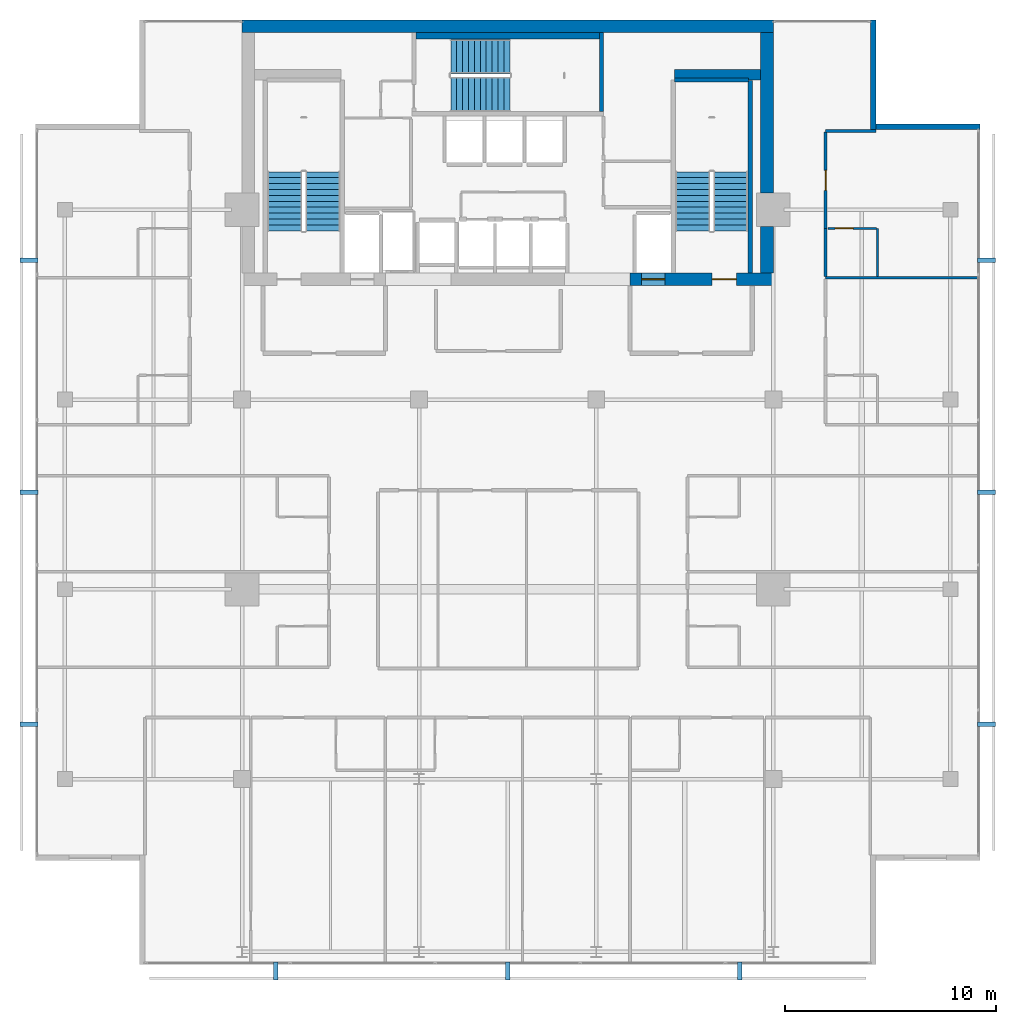
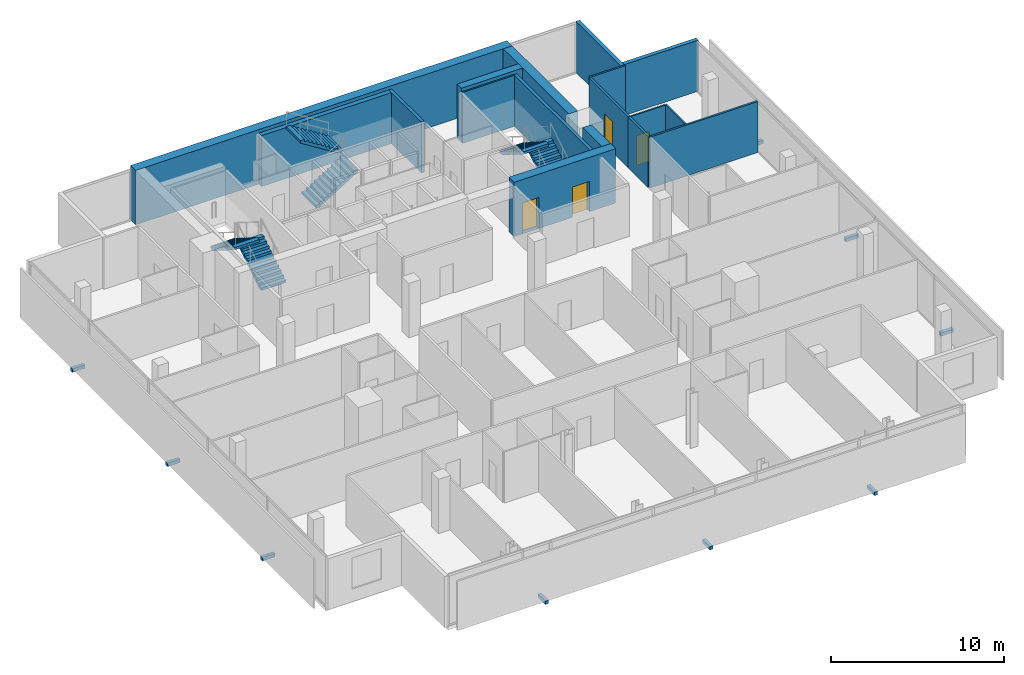
# One storey, part 23 of 25: 17 walls, 9 discrete accessories, 6 stair flights, 4 doors, 4 openings, 3 elements without a shape of their own.
"""IFC4 building model written with IfcOpenShell, lengths in metres."""

from ifc_helpers import new_model, si_unit, direction, frame, frame_2d, origin, origin_2d, place, context, subcontext, project, spatial, polyline, rectangle, outline, extrude, material, layer, layer_set, type_object, element, fill, aggregate, save


model = new_model("IFC4")

# Units and contexts
model_context = context("Model", 3, precision=1e-05, world=origin(), true_north=direction((0.0, 1.0)))
body_context = subcontext(model_context, "Body", "Model", "MODEL_VIEW")
ifc_project = project(units=[si_unit("LENGTHUNIT", "METRE"), si_unit("AREAUNIT", "SQUARE_METRE"), si_unit("VOLUMEUNIT", "CUBIC_METRE"), si_unit("PLANEANGLEUNIT", "RADIAN"), si_unit("MASSUNIT", "GRAM", prefix="KILO")], contexts=[model_context])

# Site, building, storey
site_placement = place(None, origin())
site = spatial("IfcSite", under=ifc_project, at=site_placement, CompositionType="ELEMENT")
building_placement = place(site_placement, origin())
building = spatial("IfcBuilding", under=site, at=building_placement, Name="Maruvema Waterfront Hotel and Observation Tower", CompositionType="ELEMENT")
storey_placement = place(building_placement, frame((0.0, 0.0, 304.85009765625)))
storey = spatial("IfcBuildingStorey", under=building, at=storey_placement, Name="L75", CompositionType="ELEMENT", Elevation=304.85009765625)

# Wall
ifc_material_1 = material(Name="Twin-stud acoustic gypsum drywall", Category="gypsum")
ifc_layer_1 = layer(ifc_material_1, 0.14990234375, Name="Acoustic Corridor and Suite Demising Wall 150 mm")
ifc_layer_set_1 = layer_set([ifc_layer_1], Name="Twin-stud acoustic gypsum drywall")
wall_type_1 = type_object("IfcWallType", Name="Acoustic Corridor and Suite Demising Wall 150 mm", PredefinedType="PARTITIONING", material=ifc_layer_set_1)
wall_1_placement = place(storey_placement, frame((52.8798828125, 41.82861328125, 0.0), z_axis=(0.0, 0.0, 1.0), x_axis=(0.0, 1.0, 0.0)))
element("IfcWall", 1, at=wall_1_placement, inside=storey, type_object=wall_type_1, Name="L75 Bath L75-NE2 Wall 095", PredefinedType="PARTITIONING", context=body_context, shape_type="SweptSolid", body=[
    extrude(rectangle(XDim=2.2900390625, YDim=0.14990234375, at=frame_2d((1.14501953125, 0.0))), origin(), (0.0, 0.0, 1.0), 3.60986328125),
])

# Wall, opening, door
wall_2_placement = place(storey_placement, frame((52.8798828125, 44.11865234375, 0.0), z_axis=(0.0, 0.0, 1.0), x_axis=(0.0, 1.0, 0.0)))
wall_2 = element("IfcWall", 2, at=wall_2_placement, inside=storey, type_object=wall_type_1, Name="L75 Room L75-NE2 Corridor Wall 096", PredefinedType="PARTITIONING", context=body_context, shape_type="SweptSolid", body=[
    extrude(rectangle(XDim=4.558837890625, YDim=0.14990234375, at=frame_2d((2.279296875, 0.0))), origin(), (0.0, 0.0, 1.0), 3.60986328125),
])
opening_1_placement = place(wall_2_placement, frame((1.804443359375, 0.0, 0.0)))
opening_1 = element("IfcOpeningElement", 3, at=opening_1_placement, cuts=wall_2, Name="Opening DR-095", PredefinedType="OPENING", context=body_context, shape_type="SweptSolid", body=[
    extrude(rectangle(XDim=0.949951171875, YDim=2.14990234375, at=frame_2d((0.47509765625, 1.074951171875))), frame((0.0, 0.0849609375, 0.0), z_axis=(0.0, -1.0, 0.0), x_axis=(1.0, 0.0, 0.0)), (0.0, 0.0, 1.0), 0.169921875),
])
ifc_material_2 = material(Name="Acoustic solid-core hardwood timber leaf", Category="wood")
door_type_1 = type_object("IfcDoorType", Name="Guestroom Entrance Fire Door 950x2150 mm", OperationType="NOTDEFINED", PredefinedType="DOOR", material=ifc_material_2)
door_1_placement = place(opening_1_placement, frame((0.949951171875, 0.0, 0.0), z_axis=(0.0, 0.0, 1.0), x_axis=(-1.0, 0.0, 0.0)))
door_1 = element("IfcDoor", 4, at=door_1_placement, inside=storey, type_object=door_type_1, Name="L75 Room L75-NE2 Entrance Door", OperationType="SINGLE_SWING_LEFT", OverallHeight=2.14990234375, OverallWidth=0.949951171875, PredefinedType="DOOR", context=body_context, shape_type="SweptSolid", body=[
    extrude(rectangle(XDim=0.949951171875, YDim=2.14990234375, at=frame_2d((0.47509765625, 1.074951171875))), frame((0.0, 0.02490234375, 0.0), z_axis=(0.0, -1.0, 0.0), x_axis=(1.0, 0.0, 0.0)), (0.0, 0.0, 1.0), 0.050048828125),
])
fill(opening_1, door_1)

# Walls
ifc_material_3 = material(Name="Precast concrete C45/55", Category="concrete")
ifc_layer_2 = layer(ifc_material_3, 0.300048828125, Name="Core Shaft Furring Wall 300 mm")
ifc_layer_set_2 = layer_set([ifc_layer_2], Name="Precast concrete C45/55")
wall_type_2 = type_object("IfcWallType", Name="Core Shaft Furring Wall 300 mm", PredefinedType="SOLIDWALL", material=ifc_layer_set_2)
wall_3_placement = place(storey_placement, frame((33.449951171875, 53.25, 0.0), z_axis=(0.0, 0.0, 1.0), x_axis=(1.0, 0.0, 0.0)))
element("IfcWall", 5, at=wall_3_placement, inside=storey, type_object=wall_type_2, Name="L75 Stairwell ST-02 North Furring Wall", PredefinedType="SOLIDWALL", context=body_context, shape_type="SweptSolid", body=[
    extrude(rectangle(XDim=8.699951171875, YDim=0.300048828125, at=frame_2d((4.35009765625, 0.0))), origin(), (0.0, 0.0, 1.0), 3.60986328125),
])
ifc_material_4 = material(Name="Precast concrete C45/55", Category="concrete")
ifc_layer_3 = layer(ifc_material_4, 0.199951171875, Name="Core Shaft and Stairwell Enclosure Wall 200 mm")
ifc_layer_set_3 = layer_set([ifc_layer_3], Name="Precast concrete C45/55")
wall_type_3 = type_object("IfcWallType", Name="Core Shaft and Stairwell Enclosure Wall 200 mm", PredefinedType="SOLIDWALL", material=ifc_layer_set_3)
wall_4_placement = place(storey_placement, frame((42.25, 49.64990234375, 0.0), z_axis=(0.0, 0.0, 1.0), x_axis=(0.0, 1.0, 0.0)))
element("IfcWall", 6, at=wall_4_placement, inside=storey, type_object=wall_type_3, Name="L75 Stairwell ST-02 Shaft Wall", PredefinedType="SOLIDWALL", context=body_context, shape_type="SweptSolid", body=[
    extrude(rectangle(XDim=3.75, YDim=0.199951171875, at=frame_2d((1.875, 0.0))), origin(), (0.0, 0.0, 1.0), 3.60986328125),
])
wall_5_placement = place(storey_placement, frame((49.300048828125, 42.0, 0.0), z_axis=(0.0, 0.0, 1.0), x_axis=(0.0, 1.0, 0.0)))
element("IfcWall", 7, at=wall_5_placement, inside=storey, type_object=wall_type_3, Name="L75 Stairwell ST-03 Shaft Lining Wall", PredefinedType="SOLIDWALL", context=body_context, shape_type="SweptSolid", body=[
    extrude(rectangle(XDim=9.1201171875, YDim=0.199951171875, at=frame_2d((4.56005859375, 0.0))), origin(), (0.0, 0.0, 1.0), 3.60986328125),
])
wall_6_placement = place(storey_placement, frame((45.719970703125, 51.14990234375, 0.0), z_axis=(0.0, 0.0, 1.0), x_axis=(1.0, 0.0, 0.0)))
element("IfcWall", 8, at=wall_6_placement, inside=storey, type_object=wall_type_3, Name="L75 Stairwell ST-03 Shaft Lining Wall", PredefinedType="SOLIDWALL", context=body_context, shape_type="SweptSolid", body=[
    extrude(rectangle(XDim=3.5, YDim=0.199951171875, at=frame_2d((1.75, 0.0))), origin(), (0.0, 0.0, 1.0), 3.60986328125),
])
ifc_material_5 = material(Name="Concrete C70/85", Category="concrete")
ifc_layer_4 = layer(ifc_material_5, 0.5, Name="Core Shear Wall 500 mm")
ifc_layer_set_4 = layer_set([ifc_layer_4], Name="Concrete C70/85")
wall_type_4 = type_object("IfcWallType", Name="Core Shear Wall 500 mm", PredefinedType="SHEAR", material=ifc_layer_set_4)
wall_7_placement = place(storey_placement, frame((45.699951171875, 51.39990234375, 0.0), z_axis=(0.0, 0.0, 1.0), x_axis=(1.0, 0.0, 0.0)))
element("IfcWall", 9, at=wall_7_placement, inside=storey, type_object=wall_type_4, Name="L75 Internal Core Shear Wall NE 500 mm", PredefinedType="SHEAR", context=body_context, shape_type="SweptSolid", body=[
    extrude(rectangle(XDim=4.10009765625, YDim=0.5, at=frame_2d((2.050048828125, 0.0))), origin(), (0.0, 0.0, 1.0), 3.849853515625),
])
ifc_material_6 = material(Name="Concrete C60/75", Category="concrete")
ifc_layer_5 = layer(ifc_material_6, 0.60009765625, Name="Core Shear Wall 600 mm")
ifc_layer_set_5 = layer_set([ifc_layer_5], Name="Concrete C60/75")
wall_type_5 = type_object("IfcWallType", Name="Core Shear Wall 600 mm", PredefinedType="SHEAR", material=ifc_layer_set_5)
wall_8_placement = place(storey_placement, frame((25.199951171875, 53.699951171875, 0.0), z_axis=(0.0, 0.0, 1.0), x_axis=(1.0, 0.0, 0.0)))
element("IfcWall", 10, at=wall_8_placement, inside=storey, type_object=wall_type_5, Name="L75 North Core Shear Wall", PredefinedType="SHEAR", context=body_context, shape_type="SweptSolid", body=[
    extrude(rectangle(XDim=25.199951171875, YDim=0.60009765625, at=frame_2d((12.60009765625, 0.0))), origin(), (0.0, 0.0, 1.0), 3.849853515625),
])

# Wall, openings, doors
wall_9_placement = place(storey_placement, frame((43.60009765625, 41.699951171875, 0.0), z_axis=(0.0, 0.0, 1.0), x_axis=(1.0, 0.0, 0.0)))
wall_9 = element("IfcWall", 11, at=wall_9_placement, inside=storey, type_object=wall_type_5, Name="L75 South-East Core Shear Wall", PredefinedType="SHEAR", context=body_context, shape_type="SweptSolid", body=[
    extrude(rectangle(XDim=6.7998046875, YDim=0.60009765625, at=frame_2d((3.39990234375, 0.0))), origin(), (0.0, 0.0, 1.0), 3.849853515625),
])
opening_2_placement = place(wall_9_placement, frame((3.89990234375, 0.0, 0.0)))
opening_2 = element("IfcOpeningElement", 12, at=opening_2_placement, cuts=wall_9, Name="Opening SD-01", PredefinedType="OPENING", context=body_context, shape_type="SweptSolid", body=[
    extrude(rectangle(XDim=1.14990234375, YDim=2.14990234375, at=frame_2d((0.574951171875, 1.074951171875))), frame((0.0, 0.31005859375, 0.0), z_axis=(0.0, -1.0, 0.0), x_axis=(1.0, 0.0, 0.0)), (0.0, 0.0, 1.0), 0.6201171875),
])
opening_3_placement = place(wall_9_placement, frame((0.550048828125, 0.0, 0.0)))
opening_3 = element("IfcOpeningElement", 13, at=opening_3_placement, cuts=wall_9, Name="Opening LD-03", PredefinedType="OPENING", context=body_context, shape_type="SweptSolid", body=[
    extrude(rectangle(XDim=1.10009765625, YDim=2.199951171875, at=frame_2d((0.550048828125, 1.10009765625))), frame((0.0, 0.31005859375, 0.0), z_axis=(0.0, -1.0, 0.0), x_axis=(1.0, 0.0, 0.0)), (0.0, 0.0, 1.0), 0.6201171875),
])
ifc_material_7 = material(Name="Fire-rated galvanised steel leaf", Category="steel")
door_type_2 = type_object("IfcDoorType", Name="Exit Stair Fire Door 1150x2150 mm", OperationType="NOTDEFINED", PredefinedType="DOOR", material=ifc_material_7)
door_2_placement = place(opening_2_placement, origin())
door_2 = element("IfcDoor", 14, at=door_2_placement, inside=storey, type_object=door_type_2, Name="L75 Exit Stair ST-03 Fire Door", OperationType="SINGLE_SWING_RIGHT", OverallHeight=2.14990234375, OverallWidth=1.14990234375, PredefinedType="DOOR", context=body_context, shape_type="SweptSolid", body=[
    extrude(rectangle(XDim=1.14990234375, YDim=2.14990234375, at=frame_2d((0.574951171875, 1.074951171875))), frame((0.0, 0.02490234375, 0.0), z_axis=(0.0, -1.0, 0.0), x_axis=(1.0, 0.0, 0.0)), (0.0, 0.0, 1.0), 0.050048828125),
])
fill(opening_2, door_2)
ifc_material_8 = material(Name="Brushed stainless steel Grade 316", Category="steel")
door_type_3 = type_object("IfcDoorType", Name="Firefighting Lift Sliding Landing Door 1100x2200 mm", OperationType="SLIDING_TO_LEFT", PredefinedType="DOOR", material=ifc_material_8)
door_3_placement = place(opening_3_placement, frame((1.10009765625, 0.0, 0.0), z_axis=(0.0, 0.0, 1.0), x_axis=(-1.0, 0.0, 0.0)))
door_3 = element("IfcDoor", 15, at=door_3_placement, inside=storey, type_object=door_type_3, Name="L75 Firefighting Lift FL-02 Landing Door", OperationType="SLIDING_TO_LEFT", OverallHeight=2.199951171875, OverallWidth=1.10009765625, PredefinedType="DOOR", context=body_context, shape_type="SweptSolid", body=[
    extrude(rectangle(XDim=1.10009765625, YDim=2.199951171875, at=frame_2d((0.550048828125, 1.10009765625))), frame((0.0, 0.02490234375, 0.0), z_axis=(0.0, -1.0, 0.0), x_axis=(1.0, 0.0, 0.0)), (0.0, 0.0, 1.0), 0.050048828125),
])
fill(opening_3, door_3)

# Walls
wall_10_placement = place(storey_placement, frame((50.10009765625, 42.0, 0.0), z_axis=(0.0, 0.0, 1.0), x_axis=(0.0, 1.0, 0.0)))
element("IfcWall", 16, at=wall_10_placement, inside=storey, type_object=wall_type_5, Name="L75 East-South Core Shear Wall", PredefinedType="SHEAR", context=body_context, shape_type="SweptSolid", body=[
    extrude(rectangle(XDim=2.199951171875, YDim=0.60009765625, at=frame_2d((1.10009765625, 0.0))), origin(), (0.0, 0.0, 1.0), 3.849853515625),
])
wall_11_placement = place(storey_placement, frame((50.10009765625, 45.800048828125, 0.0), z_axis=(0.0, 0.0, 1.0), x_axis=(0.0, 1.0, 0.0)))
element("IfcWall", 17, at=wall_11_placement, inside=storey, type_object=wall_type_5, Name="L75 East-North Core Shear Wall", PredefinedType="SHEAR", context=body_context, shape_type="SweptSolid", body=[
    extrude(rectangle(XDim=7.599853515625, YDim=0.60009765625, at=frame_2d((3.7998046875, 0.0))), origin(), (0.0, 0.0, 1.0), 3.849853515625),
])
ifc_material_9 = material(Name="Moisture-resistant cement-board drywall", Category="gypsum")
ifc_layer_6 = layer(ifc_material_9, 0.10009765625, Name="En-Suite Moisture-Resistant Partition 100 mm")
ifc_layer_set_6 = layer_set([ifc_layer_6], Name="Moisture-resistant cement-board drywall")
wall_type_6 = type_object("IfcWallType", Name="En-Suite Moisture-Resistant Partition 100 mm", PredefinedType="PARTITIONING", material=ifc_layer_set_6)
wall_12_placement = place(storey_placement, frame((55.330078125, 41.82861328125, 0.0), z_axis=(0.0, 0.0, 1.0), x_axis=(0.0, 1.0, 0.0)))
element("IfcWall", 18, at=wall_12_placement, inside=storey, type_object=wall_type_6, Name="L75 En-Suite L75-NE2 E 097", PredefinedType="PARTITIONING", context=body_context, shape_type="SweptSolid", body=[
    extrude(rectangle(XDim=2.2900390625, YDim=0.10009765625, at=frame_2d((1.14501953125, 0.0))), origin(), (0.0, 0.0, 1.0), 3.60986328125),
])

# Wall, opening, door
wall_13_placement = place(storey_placement, frame((52.97998046875, 44.11865234375, 0.0), z_axis=(0.0, 0.0, 1.0), x_axis=(1.0, 0.0, 0.0)))
wall_13 = element("IfcWall", 19, at=wall_13_placement, inside=storey, type_object=wall_type_6, Name="L75 En-Suite L75-NE2 N 098", PredefinedType="PARTITIONING", context=body_context, shape_type="SweptSolid", body=[
    extrude(rectangle(XDim=2.300048828125, YDim=0.10009765625, at=frame_2d((1.14990234375, 0.0))), origin(), (0.0, 0.0, 1.0), 3.60986328125),
])
opening_4_placement = place(wall_13_placement, frame((0.35009765625, 0.0, 0.0)))
opening_4 = element("IfcOpeningElement", 20, at=opening_4_placement, cuts=wall_13, Name="Opening DR-085", PredefinedType="OPENING", context=body_context, shape_type="SweptSolid", body=[
    extrude(rectangle(XDim=0.85009765625, YDim=2.10009765625, at=frame_2d((0.425048828125, 1.050048828125))), frame((0.0, 0.06005859375, 0.0), z_axis=(0.0, -1.0, 0.0), x_axis=(1.0, 0.0, 0.0)), (0.0, 0.0, 1.0), 0.1201171875),
])
ifc_material_10 = material(Name="Moisture-resistant solid timber leaf", Category="wood")
door_type_4 = type_object("IfcDoorType", Name="En-Suite Bathroom Door 850x2100 mm", OperationType="NOTDEFINED", PredefinedType="DOOR", material=ifc_material_10)
door_4_placement = place(opening_4_placement, origin())
door_4 = element("IfcDoor", 21, at=door_4_placement, inside=storey, type_object=door_type_4, Name="L75 En-Suite L75-NE2 Door", OperationType="SINGLE_SWING_RIGHT", OverallHeight=2.10009765625, OverallWidth=0.85009765625, PredefinedType="DOOR", context=body_context, shape_type="SweptSolid", body=[
    extrude(rectangle(XDim=0.85009765625, YDim=2.10009765625, at=frame_2d((0.425048828125, 1.050048828125))), frame((0.0, 0.02490234375, 0.0), z_axis=(0.0, -1.0, 0.0), x_axis=(1.0, 0.0, 0.0)), (0.0, 0.0, 1.0), 0.050048828125),
])
fill(opening_4, door_4)

# Walls
ifc_material_11 = material(Name="Precast concrete C45/55 with honed Pernambuco granite facing", Category="masonry")
ifc_layer_7 = layer(ifc_material_11, 0.260009765625, Name="Exterior Granite Clad Spandrel and Pier Wall 260 mm")
ifc_layer_set_7 = layer_set([ifc_layer_7], Name="Precast concrete C45/55 with honed Pernambuco granite facing")
wall_type_7 = type_object("IfcWallType", Name="Exterior Granite Clad Spandrel and Pier Wall 260 mm", PredefinedType="SOLIDWALL", material=ifc_layer_set_7)
for number, where, z_axis, x_axis, name in (
    (22, (55.1298828125, 54.0, 0.0), (0.0, 0.0, 1.0), (0.0, -1.0, 0.0), "L75 Corner Notch Granite Pier Wall NE1"),
    (23, (55.0, 48.929931640625, 0.0), (0.0, 0.0, 1.0), (1.0, 0.0, 0.0), "L75 Corner Notch Granite Pier Wall NE2"),
):
    element("IfcWall", number, at=place(storey_placement, frame(where, z_axis=z_axis, x_axis=x_axis)), inside=storey, type_object=wall_type_7, Name=name, PredefinedType="SOLIDWALL", context=body_context, shape_type="SweptSolid", body=[
        extrude(rectangle(XDim=5.199951171875, YDim=0.260009765625, at=frame_2d((2.60009765625, 0.0))), origin(), (0.0, 0.0, 1.0), 3.60986328125),
    ])
ifc_material_12 = material(Name="Acoustic gypsum plasterboard drywall", Category="gypsum")
ifc_layer_8 = layer(ifc_material_12, 0.125, Name="Guestroom Acoustic Demising Wall 125 mm")
ifc_layer_set_8 = layer_set([ifc_layer_8], Name="Acoustic gypsum plasterboard drywall")
wall_type_8 = type_object("IfcWallType", Name="Guestroom Acoustic Demising Wall 125 mm", PredefinedType="PARTITIONING", material=ifc_layer_set_8)
wall_14_placement = place(storey_placement, frame((52.8798828125, 48.737548828125, 0.0), z_axis=(0.0, 0.0, 1.0), x_axis=(1.0, 0.0, 0.0)))
element("IfcWall", 24, at=wall_14_placement, inside=storey, type_object=wall_type_8, Name="L75 Z3 NE Top End 080", PredefinedType="PARTITIONING", context=body_context, shape_type="SweptSolid", body=[
    extrude(rectangle(XDim=2.380126953125, YDim=0.125, at=frame_2d((1.18994140625, 0.0))), origin(), (0.0, 0.0, 1.0), 3.60986328125),
])
wall_15_placement = place(storey_placement, frame((52.8798828125, 41.768798828125, 0.0), z_axis=(0.0, 0.0, 1.0), x_axis=(1.0, 0.0, 0.0)))
element("IfcWall", 25, at=wall_15_placement, inside=storey, type_object=wall_type_8, Name="L75 Z3 NE Demising 2 090", PredefinedType="PARTITIONING", context=body_context, shape_type="SweptSolid", body=[
    extrude(rectangle(XDim=7.22021484375, YDim=0.125, at=frame_2d((3.610107421875, 0.0))), origin(), (0.0, 0.0, 1.0), 3.60986328125),
])

# Stair, stair flights
ifc_material_13 = material(Name="Concrete C50/60", Category="concrete")
stair_type = type_object("IfcStairType", Name="Dogleg Exit Stair 1650 mm (22R x 175.0 mm)", PredefinedType="HALF_TURN_STAIR", material=ifc_material_13)
stair_1_placement = place(storey_placement, origin())
stair_1 = element("IfcStair", 26, at=stair_1_placement, inside=storey, type_object=stair_type, Name="L75 ST-01", PredefinedType="HALF_TURN_STAIR")
ifc_material_14 = material(Name="Concrete C50/60", Category="concrete")
stair_flight_type = type_object("IfcStairFlightType", Name="Reinforced Concrete Stair Flight 1650 mm (11R x 175.0 mm)", PredefinedType="STRAIGHT", material=ifc_material_14)
stair_flight_1_placement = place(storey_placement, frame((29.02490234375, 44.0, 0.0), z_axis=(0.0, 0.0, 1.0), x_axis=(0.0, 1.0, 0.0)))
stair_flight_1 = element("IfcStairFlight", 27, at=stair_flight_1_placement, type_object=stair_flight_type, Name="ST-01 flight 1", NumberOfRisers=11, NumberOfTreads=10, PredefinedType="STRAIGHT", RiserHeight=0.175, TreadLength=0.28, context=body_context, shape_type="SweptSolid", body=[
    extrude(outline(polyline([(0.0, 0.0), (0.0, 0.175048828125), (0.280029296875, 0.175048828125), (0.280029296875, 0.35009765625), (0.56005859375, 0.35009765625), (0.56005859375, 0.52490234375), (0.840087890625, 0.52490234375), (0.840087890625, 0.699951171875), (1.1201171875, 0.699951171875), (1.1201171875, 0.875), (1.39990234375, 0.875), (1.39990234375, 1.050048828125), (1.679931640625, 1.050048828125), (1.679931640625, 1.22509765625), (1.9599609375, 1.22509765625), (1.9599609375, 1.39990234375), (2.239990234375, 1.39990234375), (2.239990234375, 1.574951171875), (2.52001953125, 1.574951171875), (2.52001953125, 1.75), (2.800048828125, 1.75), (2.800048828125, 1.925048828125), (2.800048828125, 1.5732421875), (0.28271484375, 0.0), (0.0, 0.0)])), frame((0.0, 0.824951171875, 0.0), z_axis=(0.0, -1.0, 0.0), x_axis=(1.0, 0.0, 0.0)), (0.0, 0.0, 1.0), 1.64990234375),
])
stair_flight_2_placement = place(storey_placement, frame((27.22509765625, 46.800048828125, 1.9248046875), z_axis=(0.0, 0.0, 1.0), x_axis=(0.0, -1.0, 0.0)))
stair_flight_2 = element("IfcStairFlight", 28, at=stair_flight_2_placement, type_object=stair_flight_type, Name="ST-01 flight 2", NumberOfRisers=11, NumberOfTreads=10, PredefinedType="STRAIGHT", RiserHeight=0.175, TreadLength=0.28, context=body_context, shape_type="SweptSolid", body=[
    extrude(outline(polyline([(0.0, 0.0), (0.0, 0.175048828125), (0.280029296875, 0.175048828125), (0.280029296875, 0.35009765625), (0.56005859375, 0.35009765625), (0.56005859375, 0.52490234375), (0.840087890625, 0.52490234375), (0.840087890625, 0.699951171875), (1.1201171875, 0.699951171875), (1.1201171875, 0.875), (1.39990234375, 0.875), (1.39990234375, 1.050048828125), (1.679931640625, 1.050048828125), (1.679931640625, 1.22509765625), (1.9599609375, 1.22509765625), (1.9599609375, 1.39990234375), (2.239990234375, 1.39990234375), (2.239990234375, 1.574951171875), (2.52001953125, 1.574951171875), (2.52001953125, 1.75), (2.800048828125, 1.75), (2.800048828125, 1.925048828125), (2.800048828125, 1.5732421875), (0.28271484375, 0.0), (0.0, 0.0)])), frame((0.0, 0.824951171875, 0.0), z_axis=(0.0, -1.0, 0.0), x_axis=(1.0, 0.0, 0.0)), (0.0, 0.0, 1.0), 1.64990234375),
])
aggregate(stair_1, [stair_flight_1, stair_flight_2])

stair_2_placement = place(storey_placement, origin())
stair_2 = element("IfcStair", 29, at=stair_2_placement, inside=storey, type_object=stair_type, Name="L75 ST-02", PredefinedType="HALF_TURN_STAIR")
stair_flight_3_placement = place(storey_placement, frame((35.10009765625, 50.47509765625, 0.0), z_axis=(0.0, 0.0, 1.0), x_axis=(1.0, 0.0, 0.0)))
stair_flight_3 = element("IfcStairFlight", 30, at=stair_flight_3_placement, type_object=stair_flight_type, Name="ST-02 flight 1", NumberOfRisers=11, NumberOfTreads=10, PredefinedType="STRAIGHT", RiserHeight=0.175, TreadLength=0.28, context=body_context, shape_type="SweptSolid", body=[
    extrude(outline(polyline([(0.0, 0.0), (0.0, 0.175048828125), (0.280029296875, 0.175048828125), (0.280029296875, 0.35009765625), (0.56005859375, 0.35009765625), (0.56005859375, 0.52490234375), (0.840087890625, 0.52490234375), (0.840087890625, 0.699951171875), (1.1201171875, 0.699951171875), (1.1201171875, 0.875), (1.39990234375, 0.875), (1.39990234375, 1.050048828125), (1.679931640625, 1.050048828125), (1.679931640625, 1.22509765625), (1.9599609375, 1.22509765625), (1.9599609375, 1.39990234375), (2.239990234375, 1.39990234375), (2.239990234375, 1.574951171875), (2.52001953125, 1.574951171875), (2.52001953125, 1.75), (2.800048828125, 1.75), (2.800048828125, 1.925048828125), (2.800048828125, 1.5732421875), (0.28271484375, 0.0), (0.0, 0.0)])), frame((0.0, 0.824951171875, 0.0), z_axis=(0.0, -1.0, 0.0), x_axis=(1.0, 0.0, 0.0)), (0.0, 0.0, 1.0), 1.64990234375),
])
stair_flight_4_placement = place(storey_placement, frame((37.89990234375, 52.27490234375, 1.9248046875), z_axis=(0.0, 0.0, 1.0), x_axis=(-1.0, 0.0, 0.0)))
stair_flight_4 = element("IfcStairFlight", 31, at=stair_flight_4_placement, type_object=stair_flight_type, Name="ST-02 flight 2", NumberOfRisers=11, NumberOfTreads=10, PredefinedType="STRAIGHT", RiserHeight=0.175, TreadLength=0.28, context=body_context, shape_type="SweptSolid", body=[
    extrude(outline(polyline([(0.0, 0.0), (0.0, 0.175048828125), (0.280029296875, 0.175048828125), (0.280029296875, 0.35009765625), (0.56005859375, 0.35009765625), (0.56005859375, 0.52490234375), (0.840087890625, 0.52490234375), (0.840087890625, 0.699951171875), (1.1201171875, 0.699951171875), (1.1201171875, 0.875), (1.39990234375, 0.875), (1.39990234375, 1.050048828125), (1.679931640625, 1.050048828125), (1.679931640625, 1.22509765625), (1.9599609375, 1.22509765625), (1.9599609375, 1.39990234375), (2.239990234375, 1.39990234375), (2.239990234375, 1.574951171875), (2.52001953125, 1.574951171875), (2.52001953125, 1.75), (2.800048828125, 1.75), (2.800048828125, 1.925048828125), (2.800048828125, 1.5732421875), (0.28271484375, 0.0), (0.0, 0.0)])), frame((0.0, 0.824951171875, 0.0), z_axis=(0.0, -1.0, 0.0), x_axis=(1.0, 0.0, 0.0)), (0.0, 0.0, 1.0), 1.64990234375),
])
aggregate(stair_2, [stair_flight_3, stair_flight_4])

stair_3_placement = place(storey_placement, origin())
stair_3 = element("IfcStair", 32, at=stair_3_placement, inside=storey, type_object=stair_type, Name="L75 ST-03", PredefinedType="HALF_TURN_STAIR")
stair_flight_5_placement = place(storey_placement, frame((48.375, 44.0, 0.0), z_axis=(0.0, 0.0, 1.0), x_axis=(0.0, 1.0, 0.0)))
stair_flight_5 = element("IfcStairFlight", 33, at=stair_flight_5_placement, type_object=stair_flight_type, Name="ST-03 flight 1", NumberOfRisers=11, NumberOfTreads=10, PredefinedType="STRAIGHT", RiserHeight=0.175, TreadLength=0.28, context=body_context, shape_type="SweptSolid", body=[
    extrude(outline(polyline([(0.0, 0.0), (0.0, 0.175048828125), (0.280029296875, 0.175048828125), (0.280029296875, 0.35009765625), (0.56005859375, 0.35009765625), (0.56005859375, 0.52490234375), (0.840087890625, 0.52490234375), (0.840087890625, 0.699951171875), (1.1201171875, 0.699951171875), (1.1201171875, 0.875), (1.39990234375, 0.875), (1.39990234375, 1.050048828125), (1.679931640625, 1.050048828125), (1.679931640625, 1.22509765625), (1.9599609375, 1.22509765625), (1.9599609375, 1.39990234375), (2.239990234375, 1.39990234375), (2.239990234375, 1.574951171875), (2.52001953125, 1.574951171875), (2.52001953125, 1.75), (2.800048828125, 1.75), (2.800048828125, 1.925048828125), (2.800048828125, 1.5732421875), (0.28271484375, 0.0), (0.0, 0.0)])), frame((0.0, 0.824951171875, 0.0), z_axis=(0.0, -1.0, 0.0), x_axis=(1.0, 0.0, 0.0)), (0.0, 0.0, 1.0), 1.64990234375),
])
stair_flight_6_placement = place(storey_placement, frame((46.574951171875, 46.800048828125, 1.9248046875), z_axis=(0.0, 0.0, 1.0), x_axis=(0.0, -1.0, 0.0)))
stair_flight_6 = element("IfcStairFlight", 34, at=stair_flight_6_placement, type_object=stair_flight_type, Name="ST-03 flight 2", NumberOfRisers=11, NumberOfTreads=10, PredefinedType="STRAIGHT", RiserHeight=0.175, TreadLength=0.28, context=body_context, shape_type="SweptSolid", body=[
    extrude(outline(polyline([(0.0, 0.0), (0.0, 0.175048828125), (0.280029296875, 0.175048828125), (0.280029296875, 0.35009765625), (0.56005859375, 0.35009765625), (0.56005859375, 0.52490234375), (0.840087890625, 0.52490234375), (0.840087890625, 0.699951171875), (1.1201171875, 0.699951171875), (1.1201171875, 0.875), (1.39990234375, 0.875), (1.39990234375, 1.050048828125), (1.679931640625, 1.050048828125), (1.679931640625, 1.22509765625), (1.9599609375, 1.22509765625), (1.9599609375, 1.39990234375), (2.239990234375, 1.39990234375), (2.239990234375, 1.574951171875), (2.52001953125, 1.574951171875), (2.52001953125, 1.75), (2.800048828125, 1.75), (2.800048828125, 1.925048828125), (2.800048828125, 1.5732421875), (0.28271484375, 0.0), (0.0, 0.0)])), frame((0.0, 0.824951171875, 0.0), z_axis=(0.0, -1.0, 0.0), x_axis=(1.0, 0.0, 0.0)), (0.0, 0.0, 1.0), 1.64990234375),
])
aggregate(stair_3, [stair_flight_5, stair_flight_6])

# Discrete accessories
ifc_material_15 = material(Name="Duplex stainless steel Grade 2205", Category="steel")
discrete_accessory_type = type_object("IfcDiscreteAccessoryType", Name="Double-Skin Cavity Stainless Outrigger Bracket", PredefinedType="BRACKET", material=ifc_material_15)
for number, where, z_axis, x_axis, name in (
    (35, (26.7919921875, 8.89990234375, -0.14013671875), (0.0, 0.0, 1.0), (1.0, 0.0, 0.0), "L75 Outer Skin Support Bracket 1"),
    (36, (37.800048828125, 8.89990234375, -0.14013671875), (0.0, 0.0, 1.0), (1.0, 0.0, 0.0), "L75 Outer Skin Support Bracket 2"),
    (37, (48.80810546875, 8.89990234375, -0.14013671875), (0.0, 0.0, 1.0), (1.0, 0.0, 0.0), "L75 Outer Skin Support Bracket 3"),
    (38, (60.5, 20.592041015625, -0.14013671875), (0.0, 0.0, 1.0), (0.0, 1.0, 0.0), "L75 Outer Skin Support Bracket 1"),
    (39, (60.5, 31.60009765625, -0.14013671875), (0.0, 0.0, 1.0), (0.0, 1.0, 0.0), "L75 Outer Skin Support Bracket 2"),
    (40, (60.5, 42.60791015625, -0.14013671875), (0.0, 0.0, 1.0), (0.0, 1.0, 0.0), "L75 Outer Skin Support Bracket 3"),
    (41, (15.10009765625, 42.60791015625, -0.14013671875), (0.0, 0.0, 1.0), (0.0, -1.0, 0.0), "L75 Outer Skin Support Bracket 1"),
    (42, (15.10009765625, 31.60009765625, -0.14013671875), (0.0, 0.0, 1.0), (0.0, -1.0, 0.0), "L75 Outer Skin Support Bracket 2"),
    (43, (15.10009765625, 20.592041015625, -0.14013671875), (0.0, 0.0, 1.0), (0.0, -1.0, 0.0), "L75 Outer Skin Support Bracket 3"),
):
    element("IfcDiscreteAccessory", number, at=place(storey_placement, frame(where, z_axis=z_axis, x_axis=x_axis)), inside=storey, type_object=discrete_accessory_type, Name=name, PredefinedType="BRACKET", context=body_context, shape_type="SweptSolid", body=[
        extrude(rectangle(XDim=0.219970703125, YDim=0.860107421875, at=origin_2d()), origin(), (0.0, 0.0, 1.0), 0.239990234375),
    ])

save(model, "model.ifc")
